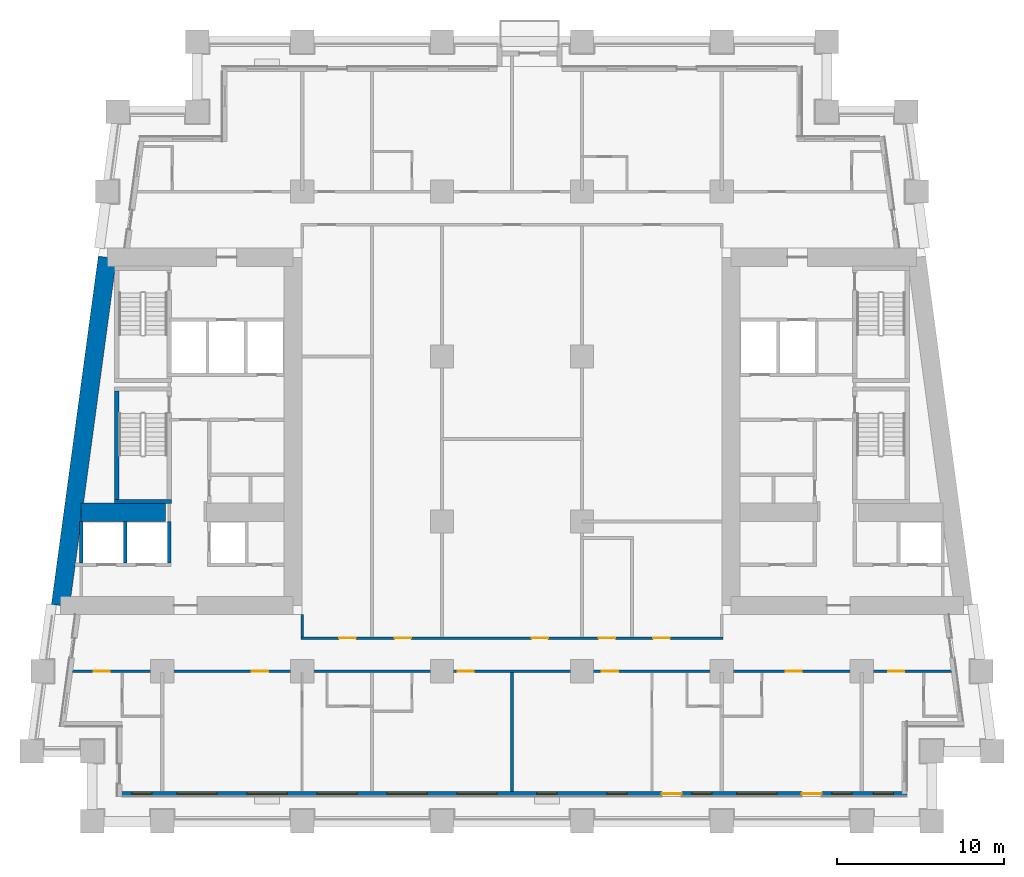
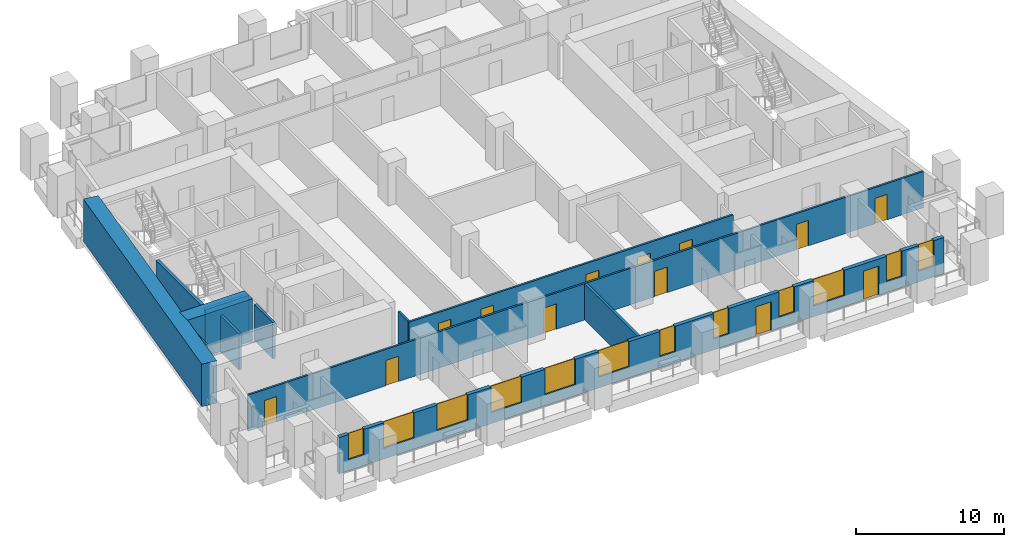
# One storey, part 3 of 12: 13 doors, 12 walls, 12 windows, 25 openings.
"""IFC4 building model written with IfcOpenShell, lengths in metres."""

import ifcopenshell
import ifcopenshell.guid

model = None  # the IFC model being written
_history = None  # IfcOwnerHistory: only IFC2X3 demands one
_inside = {}  # id of a spatial element -> (the spatial element, [elements in it])
_under = {}  # id of a project, library or spatial element -> (it, [spatial elements below it])
_declared = {}  # id of a project -> (the project, [libraries it declares])
_typed = {}  # id of a type object -> (the type object, [elements of that type])
_made_of = {}  # id of a material, layer set ... -> (it, [elements and type objects made of it])


def new_model(schema):
    """Start an empty IFC model of exactly this schema.

    Asked for "IFC4X3", IfcOpenShell would pick the latest addendum, in which some entities
    have other attributes; the version numbers below select the first issue.
    IFC2X3 requires an IfcOwnerHistory on every rooted entity: one is made here for all.
    """
    global model, _history
    if schema == "IFC4X3":
        model = ifcopenshell.file(schema_version=(4, 3, 0, 0))
    else:
        model = ifcopenshell.file(schema=schema)
    _inside.clear()
    _under.clear()
    _declared.clear()
    _typed.clear()
    _made_of.clear()
    _history = None
    if model.schema == "IFC2X3":
        org = make("IfcOrganization", Name="unknown")
        user = make(
            "IfcPersonAndOrganization",
            ThePerson=make("IfcPerson", FamilyName="unknown"),
            TheOrganization=org,
        )
        app = make(
            "IfcApplication",
            ApplicationDeveloper=org,
            Version="unknown",
            ApplicationFullName="unknown",
            ApplicationIdentifier="unknown",
        )
        _history = make(
            "IfcOwnerHistory",
            OwningUser=user,
            OwningApplication=app,
            ChangeAction="ADDED",
            CreationDate=0,
        )
    return model


def make(cls, **values):
    """One entity of the class cls with the attributes given. An attribute that is None is left unset."""
    return model.create_entity(
        cls, **{name: value for name, value in values.items() if value is not None}
    )


def rooted(cls, **values):
    """An entity with a GlobalId (a new one), such as an element, a storey or a relation."""
    return make(cls, GlobalId=ifcopenshell.guid.new(), OwnerHistory=_history, **values)


def si_unit(unit_type, name, prefix=None):
    """IfcSIUnit, for example si_unit("LENGTHUNIT", "METRE", prefix="MILLI")."""
    return make("IfcSIUnit", UnitType=unit_type, Prefix=prefix, Name=name)


def assignment(units):
    """IfcUnitAssignment: the units of a project."""
    return None if units is None else make("IfcUnitAssignment", Units=units)


def point(xyz):
    """IfcCartesianPoint."""
    return None if xyz is None else make("IfcCartesianPoint", Coordinates=xyz)


def direction(xyz):
    """IfcDirection."""
    return None if xyz is None else make("IfcDirection", DirectionRatios=xyz)


def frame(location, z_axis=None, x_axis=None):
    """IfcAxis2Placement3D, a coordinate frame: its origin and axes. An axis left out is left unset."""
    return make(
        "IfcAxis2Placement3D",
        Location=point(location),
        Axis=direction(z_axis),
        RefDirection=direction(x_axis),
    )


def frame_2d(location, x_axis=None):
    """IfcAxis2Placement2D, a coordinate frame in the plane: its origin and x axis."""
    return make(
        "IfcAxis2Placement2D", Location=point(location), RefDirection=direction(x_axis)
    )


def origin():
    """The frame at (0, 0, 0) with its axes left unset."""
    return frame((0.0, 0.0, 0.0))


def place(relative_to, where):
    """IfcLocalPlacement: puts the frame where relative to a parent placement (None: the world)."""
    return make(
        "IfcLocalPlacement", PlacementRelTo=relative_to, RelativePlacement=where
    )


def context(
    kind, dimensions, precision=None, world=None, true_north=None, identifier=None
):
    """IfcGeometricRepresentationContext, for example the 3D "Model" context."""
    return make(
        "IfcGeometricRepresentationContext",
        ContextIdentifier=identifier,
        ContextType=kind,
        CoordinateSpaceDimension=dimensions,
        Precision=precision,
        WorldCoordinateSystem=world,
        TrueNorth=true_north,
    )


def subcontext(parent, identifier, kind, view, scale=None):
    """IfcGeometricRepresentationSubContext, for example "Body" below "Model"."""
    return make(
        "IfcGeometricRepresentationSubContext",
        ContextIdentifier=identifier,
        ContextType=kind,
        ParentContext=parent,
        TargetScale=scale,
        TargetView=view,
    )


def project(units=None, contexts=None):
    """IfcProject with its units and contexts."""
    return rooted(
        "IfcProject",
        Name="project",
        RepresentationContexts=contexts,
        UnitsInContext=assignment(units),
    )


def spatial(cls, under=None, at=None, **own):
    """A site, building, storey or space (cls), placed at a placement, below another one or the project."""
    s = rooted(cls, ObjectPlacement=at, **own)
    if under is not None:
        _under.setdefault(under.id(), (under, []))[1].append(s)
    return s


def profile(cls, at=None, kind="AREA", **sizes):
    """A parametric profile (cls). Its sizes go by their IFC names, for example OverallWidth=200.0."""
    return make(cls, ProfileType=kind, Position=at, **sizes)


def rectangle(**sizes):
    """IfcRectangleProfileDef."""
    return profile("IfcRectangleProfileDef", **sizes)


def extrude(swept, where, along, depth):
    """IfcExtrudedAreaSolid: the profile swept, set in the frame where, extruded along a direction by depth."""
    return make(
        "IfcExtrudedAreaSolid",
        SweptArea=swept,
        Position=where,
        ExtrudedDirection=direction(along),
        Depth=depth,
    )


def shape(context_of_items, identifier, shape_type, items):
    """IfcShapeRepresentation: the items that make up one representation, for example the "Body"."""
    return make(
        "IfcShapeRepresentation",
        ContextOfItems=context_of_items,
        RepresentationIdentifier=identifier,
        RepresentationType=shape_type,
        Items=items,
    )


def material(Name=None, Category=None):
    """IfcMaterial."""
    return make("IfcMaterial", Name=Name, Category=Category)


def layer(
    of_material, thickness, ventilated=None, Name=None, Category=None, Priority=None
):
    """IfcMaterialLayer: one layer of a wall or slab, of a material (None: an air gap)."""
    return make(
        "IfcMaterialLayer",
        Material=of_material,
        LayerThickness=thickness,
        IsVentilated=ventilated,
        Name=Name,
        Category=Category,
        Priority=Priority,
    )


def layer_set(layers, Name=None):
    """IfcMaterialLayerSet."""
    return make("IfcMaterialLayerSet", MaterialLayers=layers, LayerSetName=Name)


def made_of(thing, what):
    """Note that an element or type object is made of a material, layer set ...; save() writes the relation."""
    if what is not None:
        _made_of.setdefault(what.id(), (what, []))[1].append(thing)
    return thing


def type_object(cls, material=None, **own):
    """A type object (cls), such as IfcWallType, which elements share."""
    return made_of(rooted(cls, **own), material)


def element(
    cls,
    number,
    at=None,
    inside=None,
    cuts=None,
    type_object=None,
    material=None,
    context=None,
    identifier="Body",
    shape_type=None,
    held_by="IfcProductDefinitionShape",
    body=None,
    shapes=None,
    **own,
):
    """One element of the class cls, such as IfcWall. Its Tag is "e" and its number.

    at: its placement. inside: the storey or other place that contains it. cuts: it is an
    opening in that element (IfcRelVoidsElement). A single representation is given by context,
    identifier, shape_type and body (its items); several are given by shapes. held_by: the class
    of the entity that holds the representations. save() writes the other relations.
    """
    e = rooted(cls, Tag="e%d" % number, ObjectPlacement=at, **own)
    if body is not None:
        shapes = [shape(context, identifier, shape_type, body)]
    if shapes is not None:
        e.Representation = make(held_by, Representations=shapes)
    if inside is not None:
        _inside.setdefault(inside.id(), (inside, []))[1].append(e)
    if cuts is not None:
        rooted(
            "IfcRelVoidsElement", RelatingBuildingElement=cuts, RelatedOpeningElement=e
        )
    if type_object is not None:
        _typed.setdefault(type_object.id(), (type_object, []))[1].append(e)
    return made_of(e, material)


def fill(opening, filler):
    """IfcRelFillsElement: the door or window that sits in an opening."""
    return rooted(
        "IfcRelFillsElement",
        RelatingOpeningElement=opening,
        RelatedBuildingElement=filler,
    )


def aggregate(whole, parts):
    """IfcRelAggregates: a whole, such as a stair, and the parts it consists of."""
    return rooted("IfcRelAggregates", RelatingObject=whole, RelatedObjects=parts)


def save(model, path):
    """Write the relations noted so far, then the file.

    IfcRelAggregates (storeys below a building ...), IfcRelContainedInSpatialStructure (elements
    in a storey), IfcRelDefinesByType, IfcRelAssociatesMaterial and IfcRelDeclares: one each for
    every whole, place, type object, material and project.
    """
    for whole, parts in _under.values():
        aggregate(whole, parts)
    for where, things in _inside.values():
        rooted(
            "IfcRelContainedInSpatialStructure",
            RelatedElements=things,
            RelatingStructure=where,
        )
    for kind, things in _typed.values():
        rooted("IfcRelDefinesByType", RelatedObjects=things, RelatingType=kind)
    for what, things in _made_of.values():
        rooted("IfcRelAssociatesMaterial", RelatedObjects=things, RelatingMaterial=what)
    for by, libraries in _declared.values():
        rooted("IfcRelDeclares", RelatingContext=by, RelatedDefinitions=libraries)
    model.write(path)


model = new_model("IFC4")

# Units and contexts
model_context = context("Model", 3, precision=1e-05, world=origin(), true_north=direction((0.0, 1.0)))
body_context = subcontext(model_context, "Body", "Model", "MODEL_VIEW")
ifc_project = project(units=[si_unit("LENGTHUNIT", "METRE"), si_unit("AREAUNIT", "SQUARE_METRE"), si_unit("VOLUMEUNIT", "CUBIC_METRE"), si_unit("PLANEANGLEUNIT", "RADIAN"), si_unit("MASSUNIT", "GRAM", prefix="KILO")], contexts=[model_context])

# Site, building, storey
site_placement = place(None, origin())
site = spatial("IfcSite", under=ifc_project, at=site_placement, CompositionType="ELEMENT")
building_placement = place(site_placement, origin())
building = spatial("IfcBuilding", under=site, at=building_placement, Name="Candeia Pilgrim Tower and Theatre", CompositionType="ELEMENT")
storey_placement = place(building_placement, frame((0.0, 0.0, 77.5)))
storey = spatial("IfcBuildingStorey", under=building, at=storey_placement, Name="L17", CompositionType="ELEMENT", Elevation=77.5)

# Walls
ifc_material_1 = material(Name="Concrete C80/95", Category="concrete")
ifc_layer_1 = layer(ifc_material_1, 1.10009765625)
ifc_layer_set_1 = layer_set([ifc_layer_1], Name="Core wall 1100 C80/95")
wall_type_1 = type_object("IfcWallType", Name="Core wall 1100 C80/95", PredefinedType="SHEAR", material=ifc_layer_set_1)
wall_1_placement = place(storey_placement, frame((86.29833984375, 110.949951171875, 0.0), z_axis=(0.0, 0.0, 1.0), x_axis=(0.133400422634, 0.99106222168, 0.0)))
element("IfcWall", 1, at=wall_1_placement, inside=storey, type_object=wall_type_1, Name="Core wall W4", PredefinedType="SHEAR", context=body_context, shape_type="SweptSolid", body=[
    extrude(rectangle(XDim=21.088623046875, YDim=1.10009765625, at=frame_2d((10.54443359375, 0.0))), origin(), (0.0, 0.0, 1.0), 3.5),
])
wall_2_placement = place(storey_placement, frame((87.523193359375, 116.550048828125, 0.0), z_axis=(0.0, 0.0, 1.0), x_axis=(1.0, 0.0, 0.0)))
element("IfcWall", 2, at=wall_2_placement, inside=storey, type_object=wall_type_1, Name="Core wall W5", PredefinedType="SHEAR", context=body_context, shape_type="SweptSolid", body=[
    extrude(rectangle(XDim=5.076904296875, YDim=1.10009765625, at=frame_2d((2.53857421875, 0.0))), origin(), (0.0, 0.0, 1.0), 3.5),
])

# Wall, openings, doors, windows
ifc_material_2 = material(Name="Ceramic block masonry", Category="masonry")
ifc_layer_2 = layer(ifc_material_2, 0.300048828125)
ifc_layer_set_2 = layer_set([ifc_layer_2], Name="EW1 glazing-line wall 300")
wall_type_2 = type_object("IfcWallType", Name="EW1 glazing-line wall 300", PredefinedType="SOLIDWALL", material=ifc_layer_set_2)
wall_3_placement = place(storey_placement, frame((89.85009765625, 99.64990234375, 0.0), z_axis=(0.0, 0.0, 1.0), x_axis=(1.0, 0.0, 0.0)))
wall_3 = element("IfcWall", 3, at=wall_3_placement, inside=storey, type_object=wall_type_2, Name="External wall L17-0.0", PredefinedType="SOLIDWALL", context=body_context, shape_type="SweptSolid", body=[
    extrude(rectangle(XDim=47.25, YDim=0.300048828125, at=frame_2d((23.625, 0.0))), origin(), (0.0, 0.0, 1.0), 3.0),
])
opening_1_placement = place(wall_3_placement, frame((0.72509765625, 0.0, 0.89990234375)))
opening_1 = element("IfcOpeningElement", 4, at=opening_1_placement, cuts=wall_3, Name="Opening W-B", PredefinedType="OPENING", context=body_context, shape_type="SweptSolid", body=[
    extrude(rectangle(XDim=1.199951171875, YDim=2.10009765625, at=frame_2d((0.60009765625, 1.050048828125))), frame((0.0, 0.16015625, 0.0), z_axis=(0.0, -1.0, 0.0), x_axis=(1.0, 0.0, 0.0)), (0.0, 0.0, 1.0), 0.320068359375),
])
opening_2_placement = place(wall_3_placement, frame((3.449951171875, 0.0, 0.89990234375)))
opening_2 = element("IfcOpeningElement", 5, at=opening_2_placement, cuts=wall_3, Name="Opening W-A", PredefinedType="OPENING", context=body_context, shape_type="SweptSolid", body=[
    extrude(rectangle(XDim=2.39990234375, YDim=2.10009765625, at=frame_2d((1.199951171875, 1.050048828125))), frame((0.0, 0.16015625, 0.0), z_axis=(0.0, -1.0, 0.0), x_axis=(1.0, 0.0, 0.0)), (0.0, 0.0, 1.0), 0.320068359375),
])
opening_3_placement = place(wall_3_placement, frame((7.64990234375, 0.0, 0.89990234375)))
opening_3 = element("IfcOpeningElement", 6, at=opening_3_placement, cuts=wall_3, Name="Opening W-A", PredefinedType="OPENING", context=body_context, shape_type="SweptSolid", body=[
    extrude(rectangle(XDim=2.39990234375, YDim=2.10009765625, at=frame_2d((1.199951171875, 1.050048828125))), frame((0.0, 0.16015625, 0.0), z_axis=(0.0, -1.0, 0.0), x_axis=(1.0, 0.0, 0.0)), (0.0, 0.0, 1.0), 0.320068359375),
])
opening_4_placement = place(wall_3_placement, frame((11.85009765625, 0.0, 0.89990234375)))
opening_4 = element("IfcOpeningElement", 7, at=opening_4_placement, cuts=wall_3, Name="Opening W-A", PredefinedType="OPENING", context=body_context, shape_type="SweptSolid", body=[
    extrude(rectangle(XDim=2.39990234375, YDim=2.10009765625, at=frame_2d((1.199951171875, 1.050048828125))), frame((0.0, 0.16015625, 0.0), z_axis=(0.0, -1.0, 0.0), x_axis=(1.0, 0.0, 0.0)), (0.0, 0.0, 1.0), 0.320068359375),
])
opening_5_placement = place(wall_3_placement, frame((16.050048828125, 0.0, 0.89990234375)))
opening_5 = element("IfcOpeningElement", 8, at=opening_5_placement, cuts=wall_3, Name="Opening W-A", PredefinedType="OPENING", context=body_context, shape_type="SweptSolid", body=[
    extrude(rectangle(XDim=2.39990234375, YDim=2.10009765625, at=frame_2d((1.199951171875, 1.050048828125))), frame((0.0, 0.16015625, 0.0), z_axis=(0.0, -1.0, 0.0), x_axis=(1.0, 0.0, 0.0)), (0.0, 0.0, 1.0), 0.320068359375),
])
opening_6_placement = place(wall_3_placement, frame((20.25, 0.0, 0.89990234375)))
opening_6 = element("IfcOpeningElement", 9, at=opening_6_placement, cuts=wall_3, Name="Opening W-A", PredefinedType="OPENING", context=body_context, shape_type="SweptSolid", body=[
    extrude(rectangle(XDim=2.39990234375, YDim=2.10009765625, at=frame_2d((1.199951171875, 1.050048828125))), frame((0.0, 0.16015625, 0.0), z_axis=(0.0, -1.0, 0.0), x_axis=(1.0, 0.0, 0.0)), (0.0, 0.0, 1.0), 0.320068359375),
])
opening_7_placement = place(wall_3_placement, frame((25.050048828125, 0.0, 0.89990234375)))
opening_7 = element("IfcOpeningElement", 10, at=opening_7_placement, cuts=wall_3, Name="Opening W-B", PredefinedType="OPENING", context=body_context, shape_type="SweptSolid", body=[
    extrude(rectangle(XDim=1.199951171875, YDim=2.10009765625, at=frame_2d((0.60009765625, 1.050048828125))), frame((0.0, 0.16015625, 0.0), z_axis=(0.0, -1.0, 0.0), x_axis=(1.0, 0.0, 0.0)), (0.0, 0.0, 1.0), 0.320068359375),
])
opening_8_placement = place(wall_3_placement, frame((29.25, 0.0, 0.89990234375)))
opening_8 = element("IfcOpeningElement", 11, at=opening_8_placement, cuts=wall_3, Name="Opening W-B", PredefinedType="OPENING", context=body_context, shape_type="SweptSolid", body=[
    extrude(rectangle(XDim=1.199951171875, YDim=2.10009765625, at=frame_2d((0.60009765625, 1.050048828125))), frame((0.0, 0.16015625, 0.0), z_axis=(0.0, -1.0, 0.0), x_axis=(1.0, 0.0, 0.0)), (0.0, 0.0, 1.0), 0.320068359375),
])
opening_9_placement = place(wall_3_placement, frame((32.550048828125, 0.0, 0.0)))
opening_9 = element("IfcOpeningElement", 12, at=opening_9_placement, cuts=wall_3, Name="Opening L17-ED184", PredefinedType="OPENING", context=body_context, shape_type="SweptSolid", body=[
    extrude(rectangle(XDim=1.199951171875, YDim=2.39990234375, at=frame_2d((0.60009765625, 1.199951171875))), frame((0.0, 0.16015625, 0.0), z_axis=(0.0, -1.0, 0.0), x_axis=(1.0, 0.0, 0.0)), (0.0, 0.0, 1.0), 0.320068359375),
])
opening_10_placement = place(wall_3_placement, frame((34.35009765625, 0.0, 0.89990234375)))
opening_10 = element("IfcOpeningElement", 13, at=opening_10_placement, cuts=wall_3, Name="Opening W-B", PredefinedType="OPENING", context=body_context, shape_type="SweptSolid", body=[
    extrude(rectangle(XDim=1.199951171875, YDim=2.10009765625, at=frame_2d((0.60009765625, 1.050048828125))), frame((0.0, 0.16015625, 0.0), z_axis=(0.0, -1.0, 0.0), x_axis=(1.0, 0.0, 0.0)), (0.0, 0.0, 1.0), 0.320068359375),
])
opening_11_placement = place(wall_3_placement, frame((37.050048828125, 0.0, 0.89990234375)))
opening_11 = element("IfcOpeningElement", 14, at=opening_11_placement, cuts=wall_3, Name="Opening W-A", PredefinedType="OPENING", context=body_context, shape_type="SweptSolid", body=[
    extrude(rectangle(XDim=2.39990234375, YDim=2.10009765625, at=frame_2d((1.199951171875, 1.050048828125))), frame((0.0, 0.16015625, 0.0), z_axis=(0.0, -1.0, 0.0), x_axis=(1.0, 0.0, 0.0)), (0.0, 0.0, 1.0), 0.320068359375),
])
opening_12_placement = place(wall_3_placement, frame((40.949951171875, 0.0, 0.0)))
opening_12 = element("IfcOpeningElement", 15, at=opening_12_placement, cuts=wall_3, Name="Opening L17-ED185", PredefinedType="OPENING", context=body_context, shape_type="SweptSolid", body=[
    extrude(rectangle(XDim=1.199951171875, YDim=2.39990234375, at=frame_2d((0.60009765625, 1.199951171875))), frame((0.0, 0.16015625, 0.0), z_axis=(0.0, -1.0, 0.0), x_axis=(1.0, 0.0, 0.0)), (0.0, 0.0, 1.0), 0.320068359375),
])
opening_13_placement = place(wall_3_placement, frame((42.75, 0.0, 0.89990234375)))
opening_13 = element("IfcOpeningElement", 16, at=opening_13_placement, cuts=wall_3, Name="Opening W-B", PredefinedType="OPENING", context=body_context, shape_type="SweptSolid", body=[
    extrude(rectangle(XDim=1.199951171875, YDim=2.10009765625, at=frame_2d((0.60009765625, 1.050048828125))), frame((0.0, 0.16015625, 0.0), z_axis=(0.0, -1.0, 0.0), x_axis=(1.0, 0.0, 0.0)), (0.0, 0.0, 1.0), 0.320068359375),
])
opening_14_placement = place(wall_3_placement, frame((45.25, 0.0, 0.89990234375)))
opening_14 = element("IfcOpeningElement", 17, at=opening_14_placement, cuts=wall_3, Name="Opening W-B", PredefinedType="OPENING", context=body_context, shape_type="SweptSolid", body=[
    extrude(rectangle(XDim=1.199951171875, YDim=2.10009765625, at=frame_2d((0.60009765625, 1.050048828125))), frame((0.0, 0.16015625, 0.0), z_axis=(0.0, -1.0, 0.0), x_axis=(1.0, 0.0, 0.0)), (0.0, 0.0, 1.0), 0.320068359375),
])
ifc_material_3 = material(Name="Aluminium framed glazed door", Category="aluminium")
door_type_1 = type_object("IfcDoorType", Name="Loggia door 1200x2400", OperationType="DOUBLE_DOOR_SINGLE_SWING", PredefinedType="DOOR", material=ifc_material_3)
door_1_placement = place(opening_9_placement, origin())
door_1 = element("IfcDoor", 18, at=door_1_placement, inside=storey, type_object=door_type_1, Name="Loggia door L17-ED184", OperationType="DOUBLE_DOOR_SINGLE_SWING", OverallHeight=2.39990234375, OverallWidth=1.199951171875, PredefinedType="DOOR", context=body_context, shape_type="SweptSolid", body=[
    extrude(rectangle(XDim=1.199951171875, YDim=2.39990234375, at=frame_2d((0.60009765625, 1.199951171875))), frame((0.0, 0.02490234375, 0.0), z_axis=(0.0, -1.0, 0.0), x_axis=(1.0, 0.0, 0.0)), (0.0, 0.0, 1.0), 0.050048828125),
])
fill(opening_9, door_1)
door_2_placement = place(opening_12_placement, origin())
door_2 = element("IfcDoor", 19, at=door_2_placement, inside=storey, type_object=door_type_1, Name="Loggia door L17-ED185", OperationType="DOUBLE_DOOR_SINGLE_SWING", OverallHeight=2.39990234375, OverallWidth=1.199951171875, PredefinedType="DOOR", context=body_context, shape_type="SweptSolid", body=[
    extrude(rectangle(XDim=1.199951171875, YDim=2.39990234375, at=frame_2d((0.60009765625, 1.199951171875))), frame((0.0, 0.02490234375, 0.0), z_axis=(0.0, -1.0, 0.0), x_axis=(1.0, 0.0, 0.0)), (0.0, 0.0, 1.0), 0.050048828125),
])
fill(opening_12, door_2)
ifc_material_4 = material(Name="Aluminium framed double glazing", Category="aluminium")
window_type_1 = type_object("IfcWindowType", Name="W-A window 2400x2100", PartitioningType="DOUBLE_PANEL_VERTICAL", PredefinedType="WINDOW", material=ifc_material_4)
window_1_placement = place(opening_2_placement, origin())
window_1 = element("IfcWindow", 20, at=window_1_placement, inside=storey, type_object=window_type_1, Name="Window W-A L17", OverallHeight=2.10009765625, OverallWidth=2.39990234375, PartitioningType="SINGLE_PANEL", PredefinedType="WINDOW", context=body_context, shape_type="SweptSolid", body=[
    extrude(rectangle(XDim=2.39990234375, YDim=2.10009765625, at=frame_2d((1.199951171875, 1.050048828125))), frame((0.0, 0.030029296875, 0.0), z_axis=(0.0, -1.0, 0.0), x_axis=(1.0, 0.0, 0.0)), (0.0, 0.0, 1.0), 0.06005859375),
])
fill(opening_2, window_1)
window_2_placement = place(opening_3_placement, origin())
window_2 = element("IfcWindow", 21, at=window_2_placement, inside=storey, type_object=window_type_1, Name="Window W-A L17", OverallHeight=2.10009765625, OverallWidth=2.39990234375, PartitioningType="SINGLE_PANEL", PredefinedType="WINDOW", context=body_context, shape_type="SweptSolid", body=[
    extrude(rectangle(XDim=2.39990234375, YDim=2.10009765625, at=frame_2d((1.199951171875, 1.050048828125))), frame((0.0, 0.030029296875, 0.0), z_axis=(0.0, -1.0, 0.0), x_axis=(1.0, 0.0, 0.0)), (0.0, 0.0, 1.0), 0.06005859375),
])
fill(opening_3, window_2)
window_3_placement = place(opening_4_placement, origin())
window_3 = element("IfcWindow", 22, at=window_3_placement, inside=storey, type_object=window_type_1, Name="Window W-A L17", OverallHeight=2.10009765625, OverallWidth=2.39990234375, PartitioningType="SINGLE_PANEL", PredefinedType="WINDOW", context=body_context, shape_type="SweptSolid", body=[
    extrude(rectangle(XDim=2.39990234375, YDim=2.10009765625, at=frame_2d((1.199951171875, 1.050048828125))), frame((0.0, 0.030029296875, 0.0), z_axis=(0.0, -1.0, 0.0), x_axis=(1.0, 0.0, 0.0)), (0.0, 0.0, 1.0), 0.06005859375),
])
fill(opening_4, window_3)
window_4_placement = place(opening_5_placement, origin())
window_4 = element("IfcWindow", 23, at=window_4_placement, inside=storey, type_object=window_type_1, Name="Window W-A L17", OverallHeight=2.10009765625, OverallWidth=2.39990234375, PartitioningType="SINGLE_PANEL", PredefinedType="WINDOW", context=body_context, shape_type="SweptSolid", body=[
    extrude(rectangle(XDim=2.39990234375, YDim=2.10009765625, at=frame_2d((1.199951171875, 1.050048828125))), frame((0.0, 0.030029296875, 0.0), z_axis=(0.0, -1.0, 0.0), x_axis=(1.0, 0.0, 0.0)), (0.0, 0.0, 1.0), 0.06005859375),
])
fill(opening_5, window_4)
window_5_placement = place(opening_6_placement, origin())
window_5 = element("IfcWindow", 24, at=window_5_placement, inside=storey, type_object=window_type_1, Name="Window W-A L17", OverallHeight=2.10009765625, OverallWidth=2.39990234375, PartitioningType="SINGLE_PANEL", PredefinedType="WINDOW", context=body_context, shape_type="SweptSolid", body=[
    extrude(rectangle(XDim=2.39990234375, YDim=2.10009765625, at=frame_2d((1.199951171875, 1.050048828125))), frame((0.0, 0.030029296875, 0.0), z_axis=(0.0, -1.0, 0.0), x_axis=(1.0, 0.0, 0.0)), (0.0, 0.0, 1.0), 0.06005859375),
])
fill(opening_6, window_5)
window_6_placement = place(opening_11_placement, origin())
window_6 = element("IfcWindow", 25, at=window_6_placement, inside=storey, type_object=window_type_1, Name="Window W-A L17", OverallHeight=2.10009765625, OverallWidth=2.39990234375, PartitioningType="SINGLE_PANEL", PredefinedType="WINDOW", context=body_context, shape_type="SweptSolid", body=[
    extrude(rectangle(XDim=2.39990234375, YDim=2.10009765625, at=frame_2d((1.199951171875, 1.050048828125))), frame((0.0, 0.030029296875, 0.0), z_axis=(0.0, -1.0, 0.0), x_axis=(1.0, 0.0, 0.0)), (0.0, 0.0, 1.0), 0.06005859375),
])
fill(opening_11, window_6)
window_type_2 = type_object("IfcWindowType", Name="W-B window 1200x2100", PartitioningType="SINGLE_PANEL", PredefinedType="WINDOW", material=ifc_material_4)
window_7_placement = place(opening_1_placement, origin())
window_7 = element("IfcWindow", 26, at=window_7_placement, inside=storey, type_object=window_type_2, Name="Window W-B L17", OverallHeight=2.10009765625, OverallWidth=1.199951171875, PartitioningType="SINGLE_PANEL", PredefinedType="WINDOW", context=body_context, shape_type="SweptSolid", body=[
    extrude(rectangle(XDim=1.199951171875, YDim=2.10009765625, at=frame_2d((0.60009765625, 1.050048828125))), frame((0.0, 0.030029296875, 0.0), z_axis=(0.0, -1.0, 0.0), x_axis=(1.0, 0.0, 0.0)), (0.0, 0.0, 1.0), 0.06005859375),
])
fill(opening_1, window_7)
window_8_placement = place(opening_7_placement, origin())
window_8 = element("IfcWindow", 27, at=window_8_placement, inside=storey, type_object=window_type_2, Name="Window W-B L17", OverallHeight=2.10009765625, OverallWidth=1.199951171875, PartitioningType="SINGLE_PANEL", PredefinedType="WINDOW", context=body_context, shape_type="SweptSolid", body=[
    extrude(rectangle(XDim=1.199951171875, YDim=2.10009765625, at=frame_2d((0.60009765625, 1.050048828125))), frame((0.0, 0.030029296875, 0.0), z_axis=(0.0, -1.0, 0.0), x_axis=(1.0, 0.0, 0.0)), (0.0, 0.0, 1.0), 0.06005859375),
])
fill(opening_7, window_8)
window_9_placement = place(opening_8_placement, origin())
window_9 = element("IfcWindow", 28, at=window_9_placement, inside=storey, type_object=window_type_2, Name="Window W-B L17", OverallHeight=2.10009765625, OverallWidth=1.199951171875, PartitioningType="SINGLE_PANEL", PredefinedType="WINDOW", context=body_context, shape_type="SweptSolid", body=[
    extrude(rectangle(XDim=1.199951171875, YDim=2.10009765625, at=frame_2d((0.60009765625, 1.050048828125))), frame((0.0, 0.030029296875, 0.0), z_axis=(0.0, -1.0, 0.0), x_axis=(1.0, 0.0, 0.0)), (0.0, 0.0, 1.0), 0.06005859375),
])
fill(opening_8, window_9)
window_10_placement = place(opening_10_placement, origin())
window_10 = element("IfcWindow", 29, at=window_10_placement, inside=storey, type_object=window_type_2, Name="Window W-B L17", OverallHeight=2.10009765625, OverallWidth=1.199951171875, PartitioningType="SINGLE_PANEL", PredefinedType="WINDOW", context=body_context, shape_type="SweptSolid", body=[
    extrude(rectangle(XDim=1.199951171875, YDim=2.10009765625, at=frame_2d((0.60009765625, 1.050048828125))), frame((0.0, 0.030029296875, 0.0), z_axis=(0.0, -1.0, 0.0), x_axis=(1.0, 0.0, 0.0)), (0.0, 0.0, 1.0), 0.06005859375),
])
fill(opening_10, window_10)
window_11_placement = place(opening_13_placement, origin())
window_11 = element("IfcWindow", 30, at=window_11_placement, inside=storey, type_object=window_type_2, Name="Window W-B L17", OverallHeight=2.10009765625, OverallWidth=1.199951171875, PartitioningType="SINGLE_PANEL", PredefinedType="WINDOW", context=body_context, shape_type="SweptSolid", body=[
    extrude(rectangle(XDim=1.199951171875, YDim=2.10009765625, at=frame_2d((0.60009765625, 1.050048828125))), frame((0.0, 0.030029296875, 0.0), z_axis=(0.0, -1.0, 0.0), x_axis=(1.0, 0.0, 0.0)), (0.0, 0.0, 1.0), 0.06005859375),
])
fill(opening_13, window_11)
window_12_placement = place(opening_14_placement, origin())
window_12 = element("IfcWindow", 31, at=window_12_placement, inside=storey, type_object=window_type_2, Name="Window W-B L17", OverallHeight=2.10009765625, OverallWidth=1.199951171875, PartitioningType="SINGLE_PANEL", PredefinedType="WINDOW", context=body_context, shape_type="SweptSolid", body=[
    extrude(rectangle(XDim=1.199951171875, YDim=2.10009765625, at=frame_2d((0.60009765625, 1.050048828125))), frame((0.0, 0.030029296875, 0.0), z_axis=(0.0, -1.0, 0.0), x_axis=(1.0, 0.0, 0.0)), (0.0, 0.0, 1.0), 0.06005859375),
])
fill(opening_14, window_12)

# Wall, openings, doors
ifc_material_5 = material(Name="Gypsum board partition on steel studs", Category="steel")
ifc_layer_3 = layer(ifc_material_5, 0.14990234375)
ifc_layer_set_3 = layer_set([ifc_layer_3], Name="PW-150 unit wall")
wall_type_3 = type_object("IfcWallType", Name="PW-150 unit wall", PredefinedType="PARTITIONING", material=ifc_layer_set_3)
wall_4_placement = place(storey_placement, frame((87.017578125, 107.0, 0.0), z_axis=(0.0, 0.0, 1.0), x_axis=(1.0, 0.0, 0.0)))
wall_4 = element("IfcWall", 32, at=wall_4_placement, inside=storey, type_object=wall_type_3, Name="Unit wall L17-007", PredefinedType="PARTITIONING", context=body_context, shape_type="SweptSolid", body=[
    extrude(rectangle(XDim=52.7646484375, YDim=0.14990234375, at=frame_2d((26.38232421875, 0.0))), origin(), (0.0, 0.0, 1.0), 3.0),
])
opening_15_placement = place(wall_4_placement, frame((1.2763671875, 0.0, 0.0)))
opening_15 = element("IfcOpeningElement", 33, at=opening_15_placement, cuts=wall_4, Name="Opening L17-D014", PredefinedType="OPENING", context=body_context, shape_type="SweptSolid", body=[
    extrude(rectangle(XDim=0.949951171875, YDim=2.10009765625, at=frame_2d((0.47509765625, 1.050048828125))), frame((0.0, 0.0849609375, 0.0), z_axis=(0.0, -1.0, 0.0), x_axis=(1.0, 0.0, 0.0)), (0.0, 0.0, 1.0), 0.169921875),
])
opening_16_placement = place(wall_4_placement, frame((10.75732421875, 0.0, 0.0)))
opening_16 = element("IfcOpeningElement", 34, at=opening_16_placement, cuts=wall_4, Name="Opening L17-D016", PredefinedType="OPENING", context=body_context, shape_type="SweptSolid", body=[
    extrude(rectangle(XDim=1.0, YDim=2.10009765625, at=frame_2d((0.5, 1.050048828125))), frame((0.0, 0.0849609375, 0.0), z_axis=(0.0, -1.0, 0.0), x_axis=(1.0, 0.0, 0.0)), (0.0, 0.0, 1.0), 0.169921875),
])
opening_17_placement = place(wall_4_placement, frame((23.125244140625, 0.0, 0.0)))
opening_17 = element("IfcOpeningElement", 35, at=opening_17_placement, cuts=wall_4, Name="Opening L17-D019", PredefinedType="OPENING", context=body_context, shape_type="SweptSolid", body=[
    extrude(rectangle(XDim=0.949951171875, YDim=2.10009765625, at=frame_2d((0.47509765625, 1.050048828125))), frame((0.0, 0.0849609375, 0.0), z_axis=(0.0, -1.0, 0.0), x_axis=(1.0, 0.0, 0.0)), (0.0, 0.0, 1.0), 0.169921875),
])
opening_18_placement = place(wall_4_placement, frame((31.75732421875, 0.0, 0.0)))
opening_18 = element("IfcOpeningElement", 36, at=opening_18_placement, cuts=wall_4, Name="Opening L17-D021", PredefinedType="OPENING", context=body_context, shape_type="SweptSolid", body=[
    extrude(rectangle(XDim=1.0, YDim=2.10009765625, at=frame_2d((0.5, 1.050048828125))), frame((0.0, 0.0849609375, 0.0), z_axis=(0.0, -1.0, 0.0), x_axis=(1.0, 0.0, 0.0)), (0.0, 0.0, 1.0), 0.169921875),
])
opening_19_placement = place(wall_4_placement, frame((42.8193359375, 0.0, 0.0)))
opening_19 = element("IfcOpeningElement", 37, at=opening_19_placement, cuts=wall_4, Name="Opening L17-D024", PredefinedType="OPENING", context=body_context, shape_type="SweptSolid", body=[
    extrude(rectangle(XDim=0.949951171875, YDim=2.10009765625, at=frame_2d((0.47509765625, 1.050048828125))), frame((0.0, 0.0849609375, 0.0), z_axis=(0.0, -1.0, 0.0), x_axis=(1.0, 0.0, 0.0)), (0.0, 0.0, 1.0), 0.169921875),
])
opening_20_placement = place(wall_4_placement, frame((48.974365234375, 0.0, 0.0)))
opening_20 = element("IfcOpeningElement", 38, at=opening_20_placement, cuts=wall_4, Name="Opening L17-D026", PredefinedType="OPENING", context=body_context, shape_type="SweptSolid", body=[
    extrude(rectangle(XDim=0.949951171875, YDim=2.10009765625, at=frame_2d((0.47509765625, 1.050048828125))), frame((0.0, 0.0849609375, 0.0), z_axis=(0.0, -1.0, 0.0), x_axis=(1.0, 0.0, 0.0)), (0.0, 0.0, 1.0), 0.169921875),
])
ifc_material_6 = material(Name="Steel fire door set", Category="steel")
door_type_2 = type_object("IfcDoorType", Name="D-1000-FD30S", OperationType="NOTDEFINED", PredefinedType="DOOR", material=ifc_material_6)
door_3_placement = place(opening_16_placement, origin())
door_3 = element("IfcDoor", 39, at=door_3_placement, inside=storey, type_object=door_type_2, Name="Door L17-D016", OperationType="SINGLE_SWING_LEFT", OverallHeight=2.10009765625, OverallWidth=1.0, PredefinedType="DOOR", context=body_context, shape_type="SweptSolid", body=[
    extrude(rectangle(XDim=1.0, YDim=2.10009765625, at=frame_2d((0.5, 1.050048828125))), frame((0.0, 0.02490234375, 0.0), z_axis=(0.0, -1.0, 0.0), x_axis=(1.0, 0.0, 0.0)), (0.0, 0.0, 1.0), 0.050048828125),
])
fill(opening_16, door_3)
door_4_placement = place(opening_18_placement, origin())
door_4 = element("IfcDoor", 40, at=door_4_placement, inside=storey, type_object=door_type_2, Name="Door L17-D021", OperationType="SINGLE_SWING_RIGHT", OverallHeight=2.10009765625, OverallWidth=1.0, PredefinedType="DOOR", context=body_context, shape_type="SweptSolid", body=[
    extrude(rectangle(XDim=1.0, YDim=2.10009765625, at=frame_2d((0.5, 1.050048828125))), frame((0.0, 0.02490234375, 0.0), z_axis=(0.0, -1.0, 0.0), x_axis=(1.0, 0.0, 0.0)), (0.0, 0.0, 1.0), 0.050048828125),
])
fill(opening_18, door_4)
door_type_3 = type_object("IfcDoorType", Name="D-950-FD30S", OperationType="NOTDEFINED", PredefinedType="DOOR", material=ifc_material_6)
door_5_placement = place(opening_15_placement, origin())
door_5 = element("IfcDoor", 41, at=door_5_placement, inside=storey, type_object=door_type_3, Name="Door L17-D014", OperationType="SINGLE_SWING_LEFT", OverallHeight=2.10009765625, OverallWidth=0.949951171875, PredefinedType="DOOR", context=body_context, shape_type="SweptSolid", body=[
    extrude(rectangle(XDim=0.949951171875, YDim=2.10009765625, at=frame_2d((0.47509765625, 1.050048828125))), frame((0.0, 0.02490234375, 0.0), z_axis=(0.0, -1.0, 0.0), x_axis=(1.0, 0.0, 0.0)), (0.0, 0.0, 1.0), 0.050048828125),
])
fill(opening_15, door_5)
door_6_placement = place(opening_17_placement, origin())
door_6 = element("IfcDoor", 42, at=door_6_placement, inside=storey, type_object=door_type_3, Name="Door L17-D019", OperationType="SINGLE_SWING_RIGHT", OverallHeight=2.10009765625, OverallWidth=0.949951171875, PredefinedType="DOOR", context=body_context, shape_type="SweptSolid", body=[
    extrude(rectangle(XDim=0.949951171875, YDim=2.10009765625, at=frame_2d((0.47509765625, 1.050048828125))), frame((0.0, 0.02490234375, 0.0), z_axis=(0.0, -1.0, 0.0), x_axis=(1.0, 0.0, 0.0)), (0.0, 0.0, 1.0), 0.050048828125),
])
fill(opening_17, door_6)
door_7_placement = place(opening_19_placement, origin())
door_7 = element("IfcDoor", 43, at=door_7_placement, inside=storey, type_object=door_type_3, Name="Door L17-D024", OperationType="SINGLE_SWING_LEFT", OverallHeight=2.10009765625, OverallWidth=0.949951171875, PredefinedType="DOOR", context=body_context, shape_type="SweptSolid", body=[
    extrude(rectangle(XDim=0.949951171875, YDim=2.10009765625, at=frame_2d((0.47509765625, 1.050048828125))), frame((0.0, 0.02490234375, 0.0), z_axis=(0.0, -1.0, 0.0), x_axis=(1.0, 0.0, 0.0)), (0.0, 0.0, 1.0), 0.050048828125),
])
fill(opening_19, door_7)
door_8_placement = place(opening_20_placement, origin())
door_8 = element("IfcDoor", 44, at=door_8_placement, inside=storey, type_object=door_type_3, Name="Door L17-D026", OperationType="SINGLE_SWING_LEFT", OverallHeight=2.10009765625, OverallWidth=0.949951171875, PredefinedType="DOOR", context=body_context, shape_type="SweptSolid", body=[
    extrude(rectangle(XDim=0.949951171875, YDim=2.10009765625, at=frame_2d((0.47509765625, 1.050048828125))), frame((0.0, 0.02490234375, 0.0), z_axis=(0.0, -1.0, 0.0), x_axis=(1.0, 0.0, 0.0)), (0.0, 0.0, 1.0), 0.050048828125),
])
fill(opening_20, door_8)

wall_5_placement = place(storey_placement, frame((100.72509765625, 109.0, 0.0), z_axis=(0.0, 0.0, 1.0), x_axis=(1.0, 0.0, 0.0)))
wall_5 = element("IfcWall", 45, at=wall_5_placement, inside=storey, type_object=wall_type_3, Name="Unit wall L17-008", PredefinedType="PARTITIONING", context=body_context, shape_type="SweptSolid", body=[
    extrude(rectangle(XDim=25.349853515625, YDim=0.14990234375, at=frame_2d((12.6748046875, 0.0))), origin(), (0.0, 0.0, 1.0), 3.0),
])
opening_21_placement = place(wall_5_placement, frame((21.14990234375, 0.0, 0.0)))
opening_21 = element("IfcOpeningElement", 46, at=opening_21_placement, cuts=wall_5, Name="Opening L17-D038", PredefinedType="OPENING", context=body_context, shape_type="SweptSolid", body=[
    extrude(rectangle(XDim=1.0, YDim=2.10009765625, at=frame_2d((0.5, 1.050048828125))), frame((0.0, 0.0849609375, 0.0), z_axis=(0.0, -1.0, 0.0), x_axis=(1.0, 0.0, 0.0)), (0.0, 0.0, 1.0), 0.169921875),
])
opening_22_placement = place(wall_5_placement, frame((2.300048828125, 0.0, 0.0)))
opening_22 = element("IfcOpeningElement", 47, at=opening_22_placement, cuts=wall_5, Name="Opening L17-D039", PredefinedType="OPENING", context=body_context, shape_type="SweptSolid", body=[
    extrude(rectangle(XDim=1.0, YDim=2.10009765625, at=frame_2d((0.5, 1.050048828125))), frame((0.0, 0.0849609375, 0.0), z_axis=(0.0, -1.0, 0.0), x_axis=(1.0, 0.0, 0.0)), (0.0, 0.0, 1.0), 0.169921875),
])
opening_23_placement = place(wall_5_placement, frame((5.625, 0.0, 0.0)))
opening_23 = element("IfcOpeningElement", 48, at=opening_23_placement, cuts=wall_5, Name="Opening L17-D041", PredefinedType="OPENING", context=body_context, shape_type="SweptSolid", body=[
    extrude(rectangle(XDim=1.0, YDim=2.10009765625, at=frame_2d((0.5, 1.050048828125))), frame((0.0, 0.0849609375, 0.0), z_axis=(0.0, -1.0, 0.0), x_axis=(1.0, 0.0, 0.0)), (0.0, 0.0, 1.0), 0.169921875),
])
opening_24_placement = place(wall_5_placement, frame((13.85009765625, 0.0, 0.0)))
opening_24 = element("IfcOpeningElement", 49, at=opening_24_placement, cuts=wall_5, Name="Opening L17-D042", PredefinedType="OPENING", context=body_context, shape_type="SweptSolid", body=[
    extrude(rectangle(XDim=1.0, YDim=2.10009765625, at=frame_2d((0.5, 1.050048828125))), frame((0.0, 0.0849609375, 0.0), z_axis=(0.0, -1.0, 0.0), x_axis=(1.0, 0.0, 0.0)), (0.0, 0.0, 1.0), 0.169921875),
])
opening_25_placement = place(wall_5_placement, frame((17.875, 0.0, 0.0)))
opening_25 = element("IfcOpeningElement", 50, at=opening_25_placement, cuts=wall_5, Name="Opening L17-D044", PredefinedType="OPENING", context=body_context, shape_type="SweptSolid", body=[
    extrude(rectangle(XDim=1.0, YDim=2.10009765625, at=frame_2d((0.5, 1.050048828125))), frame((0.0, 0.0849609375, 0.0), z_axis=(0.0, -1.0, 0.0), x_axis=(1.0, 0.0, 0.0)), (0.0, 0.0, 1.0), 0.169921875),
])
door_9_placement = place(opening_21_placement, origin())
door_9 = element("IfcDoor", 51, at=door_9_placement, inside=storey, type_object=door_type_2, Name="Door L17-D038", OperationType="SINGLE_SWING_LEFT", OverallHeight=2.10009765625, OverallWidth=1.0, PredefinedType="DOOR", context=body_context, shape_type="SweptSolid", body=[
    extrude(rectangle(XDim=1.0, YDim=2.10009765625, at=frame_2d((0.5, 1.050048828125))), frame((0.0, 0.02490234375, 0.0), z_axis=(0.0, -1.0, 0.0), x_axis=(1.0, 0.0, 0.0)), (0.0, 0.0, 1.0), 0.050048828125),
])
fill(opening_21, door_9)
door_10_placement = place(opening_22_placement, origin())
door_10 = element("IfcDoor", 52, at=door_10_placement, inside=storey, type_object=door_type_2, Name="Door L17-D039", OperationType="SINGLE_SWING_RIGHT", OverallHeight=2.10009765625, OverallWidth=1.0, PredefinedType="DOOR", context=body_context, shape_type="SweptSolid", body=[
    extrude(rectangle(XDim=1.0, YDim=2.10009765625, at=frame_2d((0.5, 1.050048828125))), frame((0.0, 0.02490234375, 0.0), z_axis=(0.0, -1.0, 0.0), x_axis=(1.0, 0.0, 0.0)), (0.0, 0.0, 1.0), 0.050048828125),
])
fill(opening_22, door_10)
door_11_placement = place(opening_23_placement, origin())
door_11 = element("IfcDoor", 53, at=door_11_placement, inside=storey, type_object=door_type_2, Name="Door L17-D041", OperationType="SINGLE_SWING_RIGHT", OverallHeight=2.10009765625, OverallWidth=1.0, PredefinedType="DOOR", context=body_context, shape_type="SweptSolid", body=[
    extrude(rectangle(XDim=1.0, YDim=2.10009765625, at=frame_2d((0.5, 1.050048828125))), frame((0.0, 0.02490234375, 0.0), z_axis=(0.0, -1.0, 0.0), x_axis=(1.0, 0.0, 0.0)), (0.0, 0.0, 1.0), 0.050048828125),
])
fill(opening_23, door_11)
door_12_placement = place(opening_24_placement, origin())
door_12 = element("IfcDoor", 54, at=door_12_placement, inside=storey, type_object=door_type_2, Name="Door L17-D042", OperationType="SINGLE_SWING_LEFT", OverallHeight=2.10009765625, OverallWidth=1.0, PredefinedType="DOOR", context=body_context, shape_type="SweptSolid", body=[
    extrude(rectangle(XDim=1.0, YDim=2.10009765625, at=frame_2d((0.5, 1.050048828125))), frame((0.0, 0.02490234375, 0.0), z_axis=(0.0, -1.0, 0.0), x_axis=(1.0, 0.0, 0.0)), (0.0, 0.0, 1.0), 0.050048828125),
])
fill(opening_24, door_12)
door_13_placement = place(opening_25_placement, origin())
door_13 = element("IfcDoor", 55, at=door_13_placement, inside=storey, type_object=door_type_2, Name="Door L17-D044", OperationType="SINGLE_SWING_LEFT", OverallHeight=2.10009765625, OverallWidth=1.0, PredefinedType="DOOR", context=body_context, shape_type="SweptSolid", body=[
    extrude(rectangle(XDim=1.0, YDim=2.10009765625, at=frame_2d((0.5, 1.050048828125))), frame((0.0, 0.02490234375, 0.0), z_axis=(0.0, -1.0, 0.0), x_axis=(1.0, 0.0, 0.0)), (0.0, 0.0, 1.0), 0.050048828125),
])
fill(opening_25, door_13)

# Walls
wall_6_placement = place(storey_placement, frame((100.800048828125, 109.074951171875, 0.0), z_axis=(0.0, 0.0, 1.0), x_axis=(0.0, 1.0, 0.0)))
element("IfcWall", 56, at=wall_6_placement, inside=storey, type_object=wall_type_3, Name="Unit wall L17-065", PredefinedType="PARTITIONING", context=body_context, shape_type="SweptSolid", body=[
    extrude(rectangle(XDim=1.324951171875, YDim=0.14990234375, at=frame_2d((0.66259765625, 0.0))), origin(), (0.0, 0.0, 1.0), 3.0),
])
ifc_layer_4 = layer(ifc_material_5, 0.199951171875)
ifc_layer_set_4 = layer_set([ifc_layer_4], Name="PW-200 party wall")
wall_type_4 = type_object("IfcWallType", Name="PW-200 party wall", PredefinedType="PARTITIONING", material=ifc_layer_set_4)
wall_7_placement = place(storey_placement, frame((113.39990234375, 99.7900390625, 0.0), z_axis=(0.0, 0.0, 1.0), x_axis=(0.0, 1.0, 0.0)))
element("IfcWall", 57, at=wall_7_placement, inside=storey, type_object=wall_type_4, Name="Party wall L17-074", PredefinedType="PARTITIONING", context=body_context, shape_type="SweptSolid", body=[
    extrude(rectangle(XDim=7.135009765625, YDim=0.199951171875, at=frame_2d((3.5673828125, 0.0))), origin(), (0.0, 0.0, 1.0), 3.0),
])
ifc_material_7 = material(Name="Concrete C40/50", Category="concrete")
ifc_layer_5 = layer(ifc_material_7, 0.199951171875)
ifc_layer_set_5 = layer_set([ifc_layer_5], Name="SW-200 shaft wall")
wall_type_5 = type_object("IfcWallType", Name="SW-200 shaft wall", PredefinedType="PARTITIONING", material=ifc_layer_set_5)
for number, where, z_axis, x_axis, name in (
    (58, (87.552001953125, 113.5, 0.0), (0.0, 0.0, 1.0), (0.0, 1.0, 0.0), "Shaft wall L17-043"),
    (59, (90.178466796875, 113.5, 0.0), (0.0, 0.0, 1.0), (0.0, 1.0, 0.0), "Shaft wall L17-048"),
    (60, (92.826904296875, 113.5, 0.0), (0.0, 0.0, 1.0), (0.0, 1.0, 0.0), "Shaft wall L17-050"),
):
    element("IfcWall", number, at=place(storey_placement, frame(where, z_axis=z_axis, x_axis=x_axis)), inside=storey, type_object=wall_type_5, Name=name, PredefinedType="PARTITIONING", context=body_context, shape_type="SweptSolid", body=[
        extrude(rectangle(XDim=2.5, YDim=0.199951171875, at=frame_2d((1.25, 0.0))), origin(), (0.0, 0.0, 1.0), 3.0),
    ])
ifc_layer_6 = layer(ifc_material_7, 0.25)
ifc_layer_set_6 = layer_set([ifc_layer_6], Name="SW-250 stair wall")
wall_type_6 = type_object("IfcWallType", Name="SW-250 stair wall", PredefinedType="PARTITIONING", material=ifc_layer_set_6)
wall_8_placement = place(storey_placement, frame((89.552001953125, 117.199951171875, 0.0), z_axis=(0.0, 0.0, 1.0), x_axis=(1.0, 0.0, 0.0)))
element("IfcWall", 61, at=wall_8_placement, inside=storey, type_object=wall_type_6, Name="Stair wall L17-015", PredefinedType="PARTITIONING", context=body_context, shape_type="SweptSolid", body=[
    extrude(rectangle(XDim=3.39990234375, YDim=0.25, at=frame_2d((1.699951171875, 0.0))), origin(), (0.0, 0.0, 1.0), 3.0),
])
wall_9_placement = place(storey_placement, frame((89.677001953125, 117.070068359375, 0.0), z_axis=(0.0, 0.0, 1.0), x_axis=(0.0, 1.0, 0.0)))
element("IfcWall", 62, at=wall_9_placement, inside=storey, type_object=wall_type_6, Name="Stair wall L17-045", PredefinedType="PARTITIONING", context=body_context, shape_type="SweptSolid", body=[
    extrude(rectangle(XDim=6.7548828125, YDim=0.25, at=frame_2d((3.37744140625, 0.0))), origin(), (0.0, 0.0, 1.0), 3.0),
])

save(model, "model.ifc")
